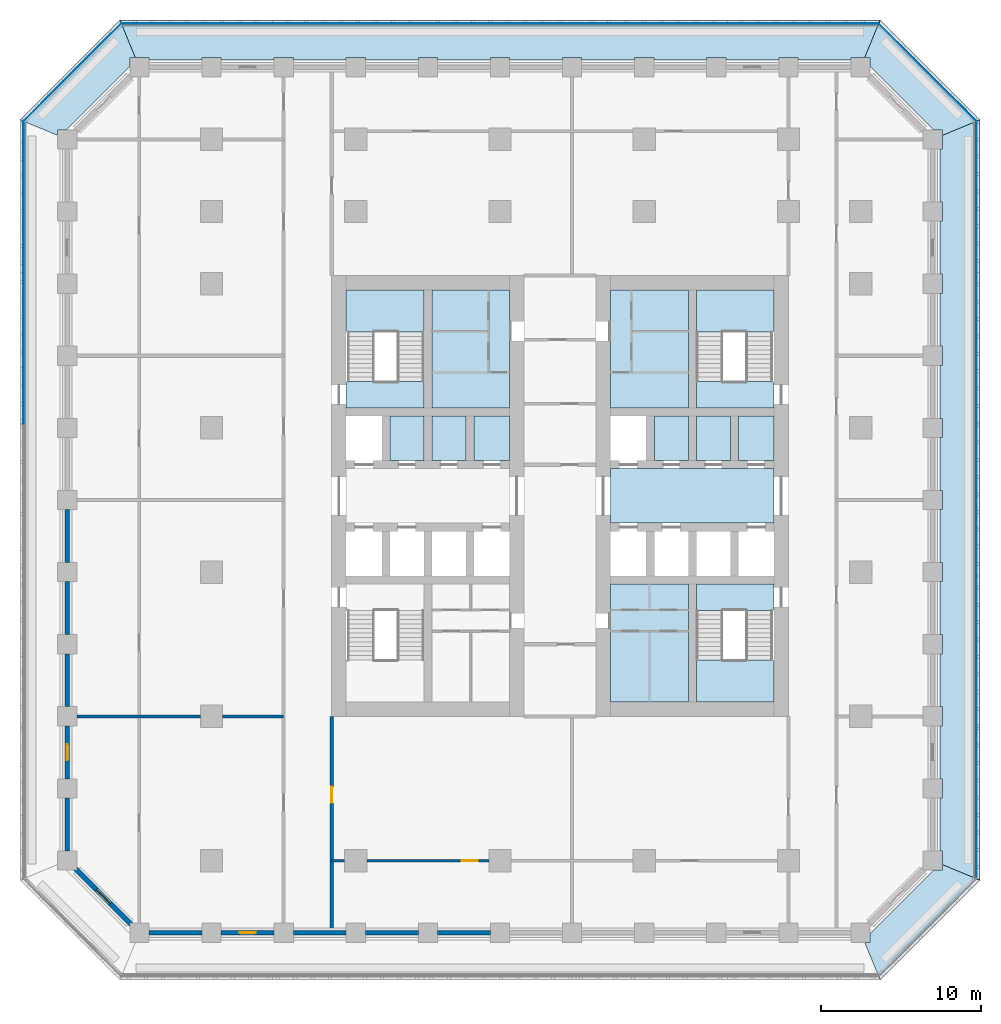
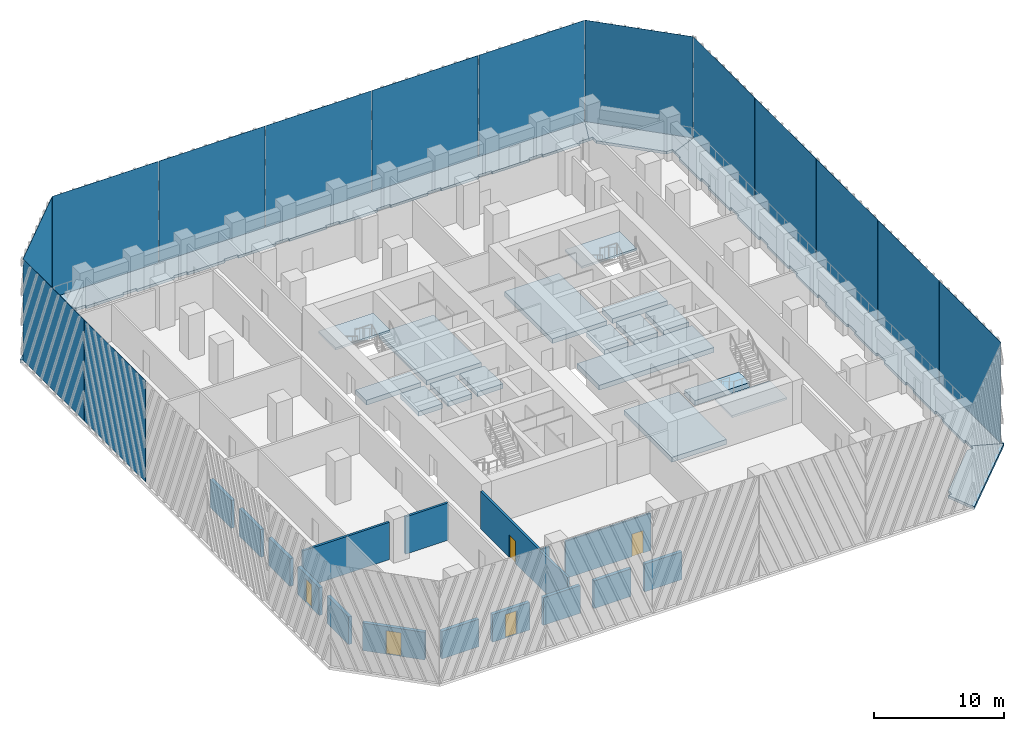
# One storey, part 2 of 17: 21 slabs, 16 walls, 14 plates, 5 doors, 5 openings, 3 elements without a shape of their own.
"""IFC4 building model written with IfcOpenShell, lengths in metres."""

from ifc_helpers import new_model, si_unit, direction, frame, frame_2d, origin, origin_2d, place, context, subcontext, project, spatial, polyline, rectangle, outline, extrude, material, layer, layer_set, type_object, element, fill, aggregate, save


model = new_model("IFC4")

# Units and contexts
model_context = context("Model", 3, precision=1e-05, world=origin(), true_north=direction((0.0, 1.0)))
body_context = subcontext(model_context, "Body", "Model", "MODEL_VIEW")
ifc_project = project(units=[si_unit("LENGTHUNIT", "METRE"), si_unit("AREAUNIT", "SQUARE_METRE"), si_unit("VOLUMEUNIT", "CUBIC_METRE"), si_unit("PLANEANGLEUNIT", "RADIAN"), si_unit("MASSUNIT", "GRAM", prefix="KILO")], contexts=[model_context])

# Site, building, storey
site_placement = place(None, origin())
site = spatial("IfcSite", under=ifc_project, at=site_placement, CompositionType="ELEMENT")
building_placement = place(site_placement, origin())
building = spatial("IfcBuilding", under=site, at=building_placement, Name="Corbel Stack Research Tower", CompositionType="ELEMENT")
storey_placement = place(building_placement, frame((0.0, 0.0, 141.300048828125)))
storey = spatial("IfcBuildingStorey", under=building, at=storey_placement, Name="L32", CompositionType="ELEMENT", Elevation=141.300048828125)

# Plates
ifc_material_1 = material(Name="Fritted glass", Category="glass")
ifc_layer_1 = layer(ifc_material_1, 0.02490234375)
ifc_layer_set_1 = layer_set([ifc_layer_1], Name="Fritted glass")
plate_type = type_object("IfcPlateType", Name="Fritted glass panel 25", PredefinedType="SHEET", material=ifc_layer_set_1)
for number, where, z_axis, x_axis, name in (
    (1, (29.737548828125, -14.411376953125, 0.0), (0.0, 0.0, 1.0), (0.0, 1.0, 0.0), "Fritted glass L32 E1"),
    (2, (29.737548828125, -4.95556640625, 0.0), (0.0, 0.0, 1.0), (0.0, 1.0, 0.0), "Fritted glass L32 E2"),
    (3, (29.737548828125, 4.5, 0.0), (0.0, 0.0, 1.0), (0.0, 1.0, 0.0), "Fritted glass L32 E3"),
    (4, (29.737548828125, 13.95556640625, 0.0), (0.0, 0.0, 1.0), (0.0, 1.0, 0.0), "Fritted glass L32 E4"),
    (5, (29.737548828125, 23.411376953125, 0.0), (0.0, 0.0, 1.0), (0.0, 1.0, 0.0), "Fritted glass L32 E5"),
):
    element("IfcPlate", number, at=place(storey_placement, frame(where, z_axis=z_axis, x_axis=x_axis)), inside=storey, type_object=plate_type, Name=name, PredefinedType="SHEET", context=body_context, shape_type="SweptSolid", body=[
        extrude(rectangle(XDim=9.3955078125, YDim=0.02490234375, at=origin_2d()), origin(), (0.0, 0.0, 1.0), 9.5),
    ])
plate_1_placement = place(storey_placement, frame((26.685791015625, 31.185791015625, 0.0), z_axis=(0.0, 0.0, 1.0), x_axis=(-0.707106781187, 0.707106781187, 0.0)))
element("IfcPlate", 6, at=plate_1_placement, inside=storey, type_object=plate_type, Name="Fritted glass L32 NE1", PredefinedType="SHEET", context=body_context, shape_type="SweptSolid", body=[
    extrude(rectangle(XDim=8.58203125, YDim=0.02490234375, at=origin_2d()), origin(), (0.0, 0.0, 1.0), 9.5),
])
for number, where, z_axis, x_axis, name in (
    (7, (18.911376953125, 34.237548828125, 0.0), (0.0, 0.0, 1.0), (-1.0, 0.0, 0.0), "Fritted glass L32 N1"),
    (8, (9.45556640625, 34.237548828125, 0.0), (0.0, 0.0, 1.0), (-1.0, 0.0, 0.0), "Fritted glass L32 N2"),
    (9, (0.0, 34.237548828125, 0.0), (0.0, 0.0, 1.0), (-1.0, 0.0, 0.0), "Fritted glass L32 N3"),
    (10, (-9.45556640625, 34.237548828125, 0.0), (0.0, 0.0, 1.0), (-1.0, 0.0, 0.0), "Fritted glass L32 N4"),
    (11, (-18.911376953125, 34.237548828125, 0.0), (0.0, 0.0, 1.0), (-1.0, 0.0, 0.0), "Fritted glass L32 N5"),
):
    element("IfcPlate", number, at=place(storey_placement, frame(where, z_axis=z_axis, x_axis=x_axis)), inside=storey, type_object=plate_type, Name=name, PredefinedType="SHEET", context=body_context, shape_type="SweptSolid", body=[
        extrude(rectangle(XDim=9.3955078125, YDim=0.02490234375, at=origin_2d()), origin(), (0.0, 0.0, 1.0), 9.5),
    ])
plate_2_placement = place(storey_placement, frame((-26.685791015625, 31.185791015625, 0.0), z_axis=(0.0, 0.0, 1.0), x_axis=(-0.707106781187, -0.707106781187, 0.0)))
element("IfcPlate", 12, at=plate_2_placement, inside=storey, type_object=plate_type, Name="Fritted glass L32 NW1", PredefinedType="SHEET", context=body_context, shape_type="SweptSolid", body=[
    extrude(rectangle(XDim=8.58203125, YDim=0.02490234375, at=origin_2d()), origin(), (0.0, 0.0, 1.0), 9.5),
])
for number, where, z_axis, x_axis, name in (
    (13, (-29.737548828125, 23.411376953125, 0.0), (0.0, 0.0, 1.0), (0.0, -1.0, 0.0), "Fritted glass L32 W1"),
    (14, (-29.737548828125, 13.95556640625, 0.0), (0.0, 0.0, 1.0), (0.0, -1.0, 0.0), "Fritted glass L32 W2"),
):
    element("IfcPlate", number, at=place(storey_placement, frame(where, z_axis=z_axis, x_axis=x_axis)), inside=storey, type_object=plate_type, Name=name, PredefinedType="SHEET", context=body_context, shape_type="SweptSolid", body=[
        extrude(rectangle(XDim=9.3955078125, YDim=0.02490234375, at=origin_2d()), origin(), (0.0, 0.0, 1.0), 9.5),
    ])

# Slabs
ifc_material_2 = material(Name="Concrete C45/55", Category="concrete")
ifc_layer_2 = layer(ifc_material_2, 0.25)
ifc_layer_set_2 = layer_set([ifc_layer_2], Name="Concrete C45/55")
slab_type_1 = type_object("IfcSlabType", Name="PT balcony slab 250 C45/55", PredefinedType="FLOOR", material=ifc_layer_set_2)
slab_1_placement = place(storey_placement, frame((0.0, 0.0, -0.25)))
element("IfcSlab", 15, at=slab_1_placement, inside=storey, type_object=slab_type_1, Name="Loggia slab L32 SE", PredefinedType="FLOOR", context=body_context, shape_type="SweptSolid", body=[
    extrude(outline(polyline([(27.60009765625, -18.24853515625), (27.60009765625, -18.60009765625), (27.036376953125, -18.60009765625), (23.10009765625, -22.536376953125), (23.10009765625, -23.10009765625), (22.74853515625, -23.10009765625), (23.721923828125, -25.449951171875), (29.949951171875, -19.221923828125), (27.60009765625, -18.24853515625)])), origin(), (0.0, 0.0, 1.0), 0.25),
])
slab_2_placement = place(storey_placement, frame((0.0, 0.0, -0.25)))
element("IfcSlab", 16, at=slab_2_placement, inside=storey, type_object=slab_type_1, Name="Loggia slab L32 E", PredefinedType="FLOOR", context=body_context, shape_type="SweptSolid", body=[
    extrude(outline(polyline([(27.60009765625, 27.24853515625), (27.60009765625, 26.39990234375), (27.449951171875, 26.39990234375), (27.449951171875, 23.10009765625), (27.60009765625, 23.10009765625), (27.60009765625, 21.89990234375), (27.449951171875, 21.89990234375), (27.449951171875, 18.60009765625), (27.60009765625, 18.60009765625), (27.60009765625, 17.39990234375), (27.449951171875, 17.39990234375), (27.449951171875, 14.10009765625), (27.60009765625, 14.10009765625), (27.60009765625, 12.89990234375), (27.449951171875, 12.89990234375), (27.449951171875, 9.60009765625), (27.60009765625, 9.60009765625), (27.60009765625, 8.39990234375), (27.449951171875, 8.39990234375), (27.449951171875, 5.10009765625), (27.60009765625, 5.10009765625), (27.60009765625, 3.89990234375), (27.449951171875, 3.89990234375), (27.449951171875, 0.60009765625), (27.60009765625, 0.60009765625), (27.60009765625, -0.60009765625), (27.449951171875, -0.60009765625), (27.449951171875, -3.89990234375), (27.60009765625, -3.89990234375), (27.60009765625, -5.10009765625), (27.449951171875, -5.10009765625), (27.449951171875, -8.39990234375), (27.60009765625, -8.39990234375), (27.60009765625, -9.60009765625), (27.449951171875, -9.60009765625), (27.449951171875, -12.89990234375), (27.60009765625, -12.89990234375), (27.60009765625, -14.10009765625), (27.449951171875, -14.10009765625), (27.449951171875, -17.39990234375), (27.60009765625, -17.39990234375), (27.60009765625, -18.24853515625), (29.949951171875, -19.221923828125), (29.949951171875, 28.221923828125), (27.60009765625, 27.24853515625)])), origin(), (0.0, 0.0, 1.0), 0.25),
])
slab_3_placement = place(storey_placement, frame((0.0, 0.0, -0.25)))
element("IfcSlab", 17, at=slab_3_placement, inside=storey, type_object=slab_type_1, Name="Loggia slab L32 NE", PredefinedType="FLOOR", context=body_context, shape_type="SweptSolid", body=[
    extrude(outline(polyline([(22.74853515625, 32.10009765625), (23.10009765625, 32.10009765625), (23.10009765625, 31.536376953125), (27.036376953125, 27.60009765625), (27.60009765625, 27.60009765625), (27.60009765625, 27.24853515625), (29.949951171875, 28.221923828125), (23.721923828125, 34.449951171875), (22.74853515625, 32.10009765625)])), origin(), (0.0, 0.0, 1.0), 0.25),
])
slab_4_placement = place(storey_placement, frame((0.0, 0.0, -0.25)))
element("IfcSlab", 18, at=slab_4_placement, inside=storey, type_object=slab_type_1, Name="Loggia slab L32 N", PredefinedType="FLOOR", context=body_context, shape_type="SweptSolid", body=[
    extrude(outline(polyline([(-22.74853515625, 32.10009765625), (-21.89990234375, 32.10009765625), (-21.89990234375, 31.949951171875), (-18.60009765625, 31.949951171875), (-18.60009765625, 32.10009765625), (-17.39990234375, 32.10009765625), (-17.39990234375, 31.949951171875), (-14.10009765625, 31.949951171875), (-14.10009765625, 32.10009765625), (-12.89990234375, 32.10009765625), (-12.89990234375, 31.949951171875), (-9.60009765625, 31.949951171875), (-9.60009765625, 32.10009765625), (-8.39990234375, 32.10009765625), (-8.39990234375, 31.949951171875), (-5.10009765625, 31.949951171875), (-5.10009765625, 32.10009765625), (-3.89990234375, 32.10009765625), (-3.89990234375, 31.949951171875), (-0.60009765625, 31.949951171875), (-0.60009765625, 32.10009765625), (0.60009765625, 32.10009765625), (0.60009765625, 31.949951171875), (3.89990234375, 31.949951171875), (3.89990234375, 32.10009765625), (5.10009765625, 32.10009765625), (5.10009765625, 31.949951171875), (8.39990234375, 31.949951171875), (8.39990234375, 32.10009765625), (9.60009765625, 32.10009765625), (9.60009765625, 31.949951171875), (12.89990234375, 31.949951171875), (12.89990234375, 32.10009765625), (14.10009765625, 32.10009765625), (14.10009765625, 31.949951171875), (17.39990234375, 31.949951171875), (17.39990234375, 32.10009765625), (18.60009765625, 32.10009765625), (18.60009765625, 31.949951171875), (21.89990234375, 31.949951171875), (21.89990234375, 32.10009765625), (22.74853515625, 32.10009765625), (23.721923828125, 34.449951171875), (-23.721923828125, 34.449951171875), (-22.74853515625, 32.10009765625)])), origin(), (0.0, 0.0, 1.0), 0.25),
])
slab_5_placement = place(storey_placement, frame((0.0, 0.0, -0.25)))
element("IfcSlab", 19, at=slab_5_placement, inside=storey, type_object=slab_type_1, Name="Loggia slab L32 NW", PredefinedType="FLOOR", context=body_context, shape_type="SweptSolid", body=[
    extrude(outline(polyline([(-27.60009765625, 27.24853515625), (-27.60009765625, 27.60009765625), (-27.036376953125, 27.60009765625), (-23.10009765625, 31.536376953125), (-23.10009765625, 32.10009765625), (-22.74853515625, 32.10009765625), (-23.721923828125, 34.449951171875), (-29.949951171875, 28.221923828125), (-27.60009765625, 27.24853515625)])), origin(), (0.0, 0.0, 1.0), 0.25),
])
ifc_material_3 = material(Name="Concrete C45/55", Category="concrete")
ifc_layer_3 = layer(ifc_material_3, 0.449951171875)
ifc_layer_set_3 = layer_set([ifc_layer_3], Name="Concrete C45/55")
slab_type_2 = type_object("IfcSlabType", Name="PT-450", PredefinedType="FLOOR", material=ifc_layer_set_3)
slab_6_placement = place(storey_placement, frame((0.0, 0.0, -0.449951171875)))
element("IfcSlab", 20, at=slab_6_placement, inside=storey, type_object=slab_type_2, Name="West core floor L32", PredefinedType="FLOOR", context=body_context, shape_type="SweptSolid", body=[
    extrude(outline(polyline([(-6.875, 6.949951171875), (-4.75, 6.949951171875), (-4.75, 9.75), (-6.875, 9.75), (-6.875, 6.949951171875)])), origin(), (0.0, 0.0, 1.0), 0.449951171875),
])
slab_7_placement = place(storey_placement, frame((0.0, 0.0, -0.449951171875)))
element("IfcSlab", 21, at=slab_7_placement, inside=storey, type_object=slab_type_2, Name="West core floor L32", PredefinedType="FLOOR", context=body_context, shape_type="SweptSolid", body=[
    extrude(outline(polyline([(-2.125, 6.949951171875), (-2.125, 9.75), (-4.25, 9.75), (-4.25, 6.949951171875), (-2.125, 6.949951171875)])), origin(), (0.0, 0.0, 1.0), 0.449951171875),
])
slab_8_placement = place(storey_placement, frame((0.0, 0.0, -0.449951171875)))
element("IfcSlab", 22, at=slab_8_placement, inside=storey, type_object=slab_type_2, Name="West core floor L32", PredefinedType="FLOOR", context=body_context, shape_type="SweptSolid", body=[
    extrude(outline(polyline([(0.60009765625, 17.60009765625), (-4.25, 17.60009765625), (-4.25, 10.25), (0.60009765625, 10.25), (0.60009765625, 17.60009765625)])), origin(), (0.0, 0.0, 1.0), 0.449951171875),
])
slab_9_placement = place(storey_placement, frame((0.0, 0.0, -0.449951171875)))
element("IfcSlab", 23, at=slab_9_placement, inside=storey, type_object=slab_type_2, Name="West core floor L32", PredefinedType="FLOOR", context=body_context, shape_type="SweptSolid", body=[
    extrude(outline(polyline([(0.60009765625, 9.75), (-1.625, 9.75), (-1.625, 6.949951171875), (0.60009765625, 6.949951171875), (0.60009765625, 9.75)])), origin(), (0.0, 0.0, 1.0), 0.449951171875),
])
slab_10_placement = place(storey_placement, frame((0.0, 0.0, -0.449951171875)))
element("IfcSlab", 24, at=slab_10_placement, inside=storey, type_object=slab_type_2, Name="East core floor L32", PredefinedType="FLOOR", context=body_context, shape_type="SweptSolid", body=[
    extrude(outline(polyline([(11.75, -0.75), (6.89990234375, -0.75), (6.89990234375, -8.10009765625), (11.75, -8.10009765625), (11.75, -0.75)])), origin(), (0.0, 0.0, 1.0), 0.449951171875),
])
slab_11_placement = place(storey_placement, frame((0.0, 0.0, -0.449951171875)))
element("IfcSlab", 25, at=slab_11_placement, inside=storey, type_object=slab_type_2, Name="East core floor L32", PredefinedType="FLOOR", context=body_context, shape_type="SweptSolid", body=[
    extrude(outline(polyline([(6.89990234375, 6.449951171875), (6.89990234375, 3.050048828125), (17.10009765625, 3.050048828125), (17.10009765625, 6.449951171875), (6.89990234375, 6.449951171875)])), origin(), (0.0, 0.0, 1.0), 0.449951171875),
])
slab_12_placement = place(storey_placement, frame((0.0, 0.0, -0.449951171875)))
element("IfcSlab", 26, at=slab_12_placement, inside=storey, type_object=slab_type_2, Name="East core floor L32", PredefinedType="FLOOR", context=body_context, shape_type="SweptSolid", body=[
    extrude(outline(polyline([(6.89990234375, 17.60009765625), (6.89990234375, 10.25), (11.75, 10.25), (11.75, 17.60009765625), (6.89990234375, 17.60009765625)])), origin(), (0.0, 0.0, 1.0), 0.449951171875),
])
slab_13_placement = place(storey_placement, frame((0.0, 0.0, -0.449951171875)))
element("IfcSlab", 27, at=slab_13_placement, inside=storey, type_object=slab_type_2, Name="East core floor L32", PredefinedType="FLOOR", context=body_context, shape_type="SweptSolid", body=[
    extrude(outline(polyline([(9.625, 6.949951171875), (11.75, 6.949951171875), (11.75, 9.75), (9.625, 9.75), (9.625, 6.949951171875)])), origin(), (0.0, 0.0, 1.0), 0.449951171875),
])
slab_14_placement = place(storey_placement, frame((0.0, 0.0, -0.449951171875)))
element("IfcSlab", 28, at=slab_14_placement, inside=storey, type_object=slab_type_2, Name="East core floor L32", PredefinedType="FLOOR", context=body_context, shape_type="SweptSolid", body=[
    extrude(outline(polyline([(14.375, 6.949951171875), (14.375, 9.75), (12.25, 9.75), (12.25, 6.949951171875), (14.375, 6.949951171875)])), origin(), (0.0, 0.0, 1.0), 0.449951171875),
])
slab_15_placement = place(storey_placement, frame((0.0, 0.0, -0.449951171875)))
element("IfcSlab", 29, at=slab_15_placement, inside=storey, type_object=slab_type_2, Name="East core floor L32", PredefinedType="FLOOR", context=body_context, shape_type="SweptSolid", body=[
    extrude(outline(polyline([(17.10009765625, 6.949951171875), (17.10009765625, 9.75), (14.875, 9.75), (14.875, 6.949951171875), (17.10009765625, 6.949951171875)])), origin(), (0.0, 0.0, 1.0), 0.449951171875),
])
slab_16_placement = place(storey_placement, frame((0.0, 0.0, -0.449951171875)))
element("IfcSlab", 30, at=slab_16_placement, inside=storey, type_object=slab_type_2, Name="Stair floor landing ST-W2", PredefinedType="FLOOR", context=body_context, shape_type="SweptSolid", body=[
    extrude(outline(polyline([(-9.60009765625, 10.25), (-4.75, 10.25), (-4.75, 11.89990234375), (-9.60009765625, 11.89990234375), (-9.60009765625, 10.25)])), origin(), (0.0, 0.0, 1.0), 0.449951171875),
])
slab_17_placement = place(storey_placement, frame((0.0, 0.0, -0.449951171875)))
element("IfcSlab", 31, at=slab_17_placement, inside=storey, type_object=slab_type_2, Name="Stair floor landing ST-E1", PredefinedType="FLOOR", context=body_context, shape_type="SweptSolid", body=[
    extrude(outline(polyline([(12.25, -2.39990234375), (17.10009765625, -2.39990234375), (17.10009765625, -0.75), (12.25, -0.75), (12.25, -2.39990234375)])), origin(), (0.0, 0.0, 1.0), 0.449951171875),
])
slab_18_placement = place(storey_placement, frame((0.0, 0.0, -0.449951171875)))
element("IfcSlab", 32, at=slab_18_placement, inside=storey, type_object=slab_type_2, Name="Stair floor landing ST-E2", PredefinedType="FLOOR", context=body_context, shape_type="SweptSolid", body=[
    extrude(outline(polyline([(12.25, 10.25), (17.10009765625, 10.25), (17.10009765625, 11.89990234375), (12.25, 11.89990234375), (12.25, 10.25)])), origin(), (0.0, 0.0, 1.0), 0.449951171875),
])

# Stair, slab
ifc_material_4 = material(Name="Concrete C40/50", Category="concrete")
stair_type = type_object("IfcStairType", Name="Exit stair 24 risers", PredefinedType="HALF_TURN_STAIR", material=ifc_material_4)
stair_1_placement = place(storey_placement, origin())
stair_1 = element("IfcStair", 33, at=stair_1_placement, inside=storey, type_object=stair_type, Name="L32 Exit stair ST-W2", PredefinedType="HALF_TURN_STAIR")
ifc_material_5 = material(Name="Concrete C40/50", Category="concrete")
ifc_layer_4 = layer(ifc_material_5, 0.199951171875)
ifc_layer_set_4 = layer_set([ifc_layer_4], Name="Concrete C40/50")
slab_type_3 = type_object("IfcSlabType", Name="Stair landing 200 C40/50", PredefinedType="LANDING", material=ifc_layer_set_4)
slab_19_placement = place(storey_placement, frame((0.0, 0.0, 1.849853515625)))
slab_19 = element("IfcSlab", 34, at=slab_19_placement, type_object=slab_type_3, Name="ST-W2 landing 1", PredefinedType="LANDING", context=body_context, shape_type="SweptSolid", body=[
    extrude(outline(polyline([(-9.60009765625, 14.97998046875), (-9.60009765625, 17.60009765625), (-4.75, 17.60009765625), (-4.75, 14.97998046875), (-9.60009765625, 14.97998046875)])), origin(), (0.0, 0.0, 1.0), 0.2001953125),
])
aggregate(stair_1, [slab_19])

stair_2_placement = place(storey_placement, origin())
stair_2 = element("IfcStair", 35, at=stair_2_placement, inside=storey, type_object=stair_type, Name="L32 Exit stair ST-E1", PredefinedType="HALF_TURN_STAIR")
slab_20_placement = place(storey_placement, frame((0.0, 0.0, 1.849853515625)))
slab_20 = element("IfcSlab", 36, at=slab_20_placement, type_object=slab_type_3, Name="ST-E1 landing 1", PredefinedType="LANDING", context=body_context, shape_type="SweptSolid", body=[
    extrude(outline(polyline([(12.25, -8.10009765625), (12.25, -5.47998046875), (17.10009765625, -5.47998046875), (17.10009765625, -8.10009765625), (12.25, -8.10009765625)])), origin(), (0.0, 0.0, 1.0), 0.2001953125),
])
aggregate(stair_2, [slab_20])

stair_3_placement = place(storey_placement, origin())
stair_3 = element("IfcStair", 37, at=stair_3_placement, inside=storey, type_object=stair_type, Name="L32 Exit stair ST-E2", PredefinedType="HALF_TURN_STAIR")
slab_21_placement = place(storey_placement, frame((0.0, 0.0, 1.849853515625)))
slab_21 = element("IfcSlab", 38, at=slab_21_placement, type_object=slab_type_3, Name="ST-E2 landing 1", PredefinedType="LANDING", context=body_context, shape_type="SweptSolid", body=[
    extrude(outline(polyline([(12.25, 14.97998046875), (12.25, 17.60009765625), (17.10009765625, 17.60009765625), (17.10009765625, 14.97998046875), (12.25, 14.97998046875)])), origin(), (0.0, 0.0, 1.0), 0.2001953125),
])
aggregate(stair_3, [slab_21])

# Wall, opening, door
ifc_material_6 = material(Name="Fire-rated gypsum board partition on steel studs", Category="steel")
ifc_layer_5 = layer(ifc_material_6, 0.199951171875)
ifc_layer_set_5 = layer_set([ifc_layer_5], Name="Fire-rated gypsum board partition on steel studs")
wall_type_1 = type_object("IfcWallType", Name="Fire-rated partition 200 EI 60", PredefinedType="PARTITIONING", material=ifc_layer_set_5)
wall_1_placement = place(storey_placement, frame((-10.5, -9.0, 0.0), z_axis=(0.0, 0.0, 1.0), x_axis=(0.0, -1.0, 0.0)))
wall_1 = element("IfcWall", 39, at=wall_1_placement, inside=storey, type_object=wall_type_1, Name="Partition L32-003", PredefinedType="PARTITIONING", context=body_context, shape_type="SweptSolid", body=[
    extrude(rectangle(XDim=13.35009765625, YDim=0.199951171875, at=frame_2d((6.675048828125, 0.0))), origin(), (0.0, 0.0, 1.0), 3.5),
])
opening_1_placement = place(wall_1_placement, frame((4.39990234375, 0.0, 0.0)))
opening_1 = element("IfcOpeningElement", 40, at=opening_1_placement, cuts=wall_1, Name="Opening B4V2-013", PredefinedType="OPENING", context=body_context, shape_type="SweptSolid", body=[
    extrude(rectangle(XDim=1.0, YDim=2.10009765625, at=frame_2d((0.5, 1.050048828125))), frame((0.0, 0.10986328125, 0.0), z_axis=(0.0, -1.0, 0.0), x_axis=(1.0, 0.0, 0.0)), (0.0, 0.0, 1.0), 0.219970703125),
])
ifc_material_7 = material(Name="Painted steel fire door", Category="steel")
door_type_1 = type_object("IfcDoorType", Name="Fire door FD30S 1000 x 2100", OperationType="NOTDEFINED", PredefinedType="DOOR", material=ifc_material_7)
door_1_placement = place(opening_1_placement, origin())
door_1 = element("IfcDoor", 41, at=door_1_placement, inside=storey, type_object=door_type_1, Name="Door B4V2-013", OperationType="SINGLE_SWING_LEFT", OverallHeight=2.10009765625, OverallWidth=1.0, PredefinedType="DOOR", context=body_context, shape_type="SweptSolid", body=[
    extrude(rectangle(XDim=1.0, YDim=2.10009765625, at=frame_2d((0.5, 1.050048828125))), frame((0.0, 0.02490234375, 0.0), z_axis=(0.0, -1.0, 0.0), x_axis=(1.0, 0.0, 0.0)), (0.0, 0.0, 1.0), 0.050048828125),
])
fill(opening_1, door_1)

# Walls
wall_2_placement = place(storey_placement, frame((-26.39990234375, -9.0, 0.0), z_axis=(0.0, 0.0, 1.0), x_axis=(1.0, 0.0, 0.0)))
element("IfcWall", 42, at=wall_2_placement, inside=storey, type_object=wall_type_1, Name="Partition L32-017", PredefinedType="PARTITIONING", context=body_context, shape_type="SweptSolid", body=[
    extrude(rectangle(XDim=7.699951171875, YDim=0.199951171875, at=frame_2d((3.85009765625, 0.0))), origin(), (0.0, 0.0, 1.0), 3.5),
])
wall_3_placement = place(storey_placement, frame((-17.300048828125, -9.0, 0.0), z_axis=(0.0, 0.0, 1.0), x_axis=(1.0, 0.0, 0.0)))
element("IfcWall", 43, at=wall_3_placement, inside=storey, type_object=wall_type_1, Name="Partition L32-018", PredefinedType="PARTITIONING", context=body_context, shape_type="SweptSolid", body=[
    extrude(rectangle(XDim=3.800048828125, YDim=0.199951171875, at=frame_2d((1.89990234375, 0.0))), origin(), (0.0, 0.0, 1.0), 3.5),
])
ifc_material_8 = material(Name="Gypsum board partition on steel studs", Category="steel")
ifc_layer_6 = layer(ifc_material_8, 0.14990234375)
ifc_layer_set_6 = layer_set([ifc_layer_6], Name="Gypsum board partition on steel studs")
wall_type_2 = type_object("IfcWallType", Name="Partition 150", PredefinedType="PARTITIONING", material=ifc_layer_set_6)
wall_4_placement = place(storey_placement, frame((-10.5, -18.0, 0.0), z_axis=(0.0, 0.0, 1.0), x_axis=(1.0, 0.0, 0.0)))
element("IfcWall", 44, at=wall_4_placement, inside=storey, type_object=wall_type_2, Name="Partition L32-013", PredefinedType="PARTITIONING", context=body_context, shape_type="SweptSolid", body=[
    extrude(rectangle(XDim=0.800048828125, YDim=0.14990234375, at=frame_2d((0.39990234375, 0.0))), origin(), (0.0, 0.0, 1.0), 3.5),
])

# Wall, opening, door
wall_5_placement = place(storey_placement, frame((-0.699951171875, -18.0, 0.0), z_axis=(0.0, 0.0, 1.0), x_axis=(-1.0, 0.0, 0.0)))
wall_5 = element("IfcWall", 45, at=wall_5_placement, inside=storey, type_object=wall_type_2, Name="Partition L32-014", PredefinedType="PARTITIONING", context=body_context, shape_type="SweptSolid", body=[
    extrude(rectangle(XDim=7.60009765625, YDim=0.14990234375, at=frame_2d((3.800048828125, 0.0))), origin(), (0.0, 0.0, 1.0), 3.5),
])
opening_2_placement = place(wall_5_placement, frame((0.699951171875, 0.0, 0.0)))
opening_2 = element("IfcOpeningElement", 46, at=opening_2_placement, cuts=wall_5, Name="Opening B4V2-006", PredefinedType="OPENING", context=body_context, shape_type="SweptSolid", body=[
    extrude(rectangle(XDim=1.0, YDim=2.10009765625, at=frame_2d((0.5, 1.050048828125))), frame((0.0, 0.0849609375, 0.0), z_axis=(0.0, -1.0, 0.0), x_axis=(1.0, 0.0, 0.0)), (0.0, 0.0, 1.0), 0.169921875),
])
ifc_material_9 = material(Name="Painted timber door", Category="wood")
door_type_2 = type_object("IfcDoorType", Name="Single door 1000 x 2100", OperationType="NOTDEFINED", PredefinedType="DOOR", material=ifc_material_9)
door_2_placement = place(opening_2_placement, origin())
door_2 = element("IfcDoor", 47, at=door_2_placement, inside=storey, type_object=door_type_2, Name="Door B4V2-006", OperationType="SINGLE_SWING_LEFT", OverallHeight=2.10009765625, OverallWidth=1.0, PredefinedType="DOOR", context=body_context, shape_type="SweptSolid", body=[
    extrude(rectangle(XDim=1.0, YDim=2.10009765625, at=frame_2d((0.5, 1.050048828125))), frame((0.0, 0.02490234375, 0.0), z_axis=(0.0, -1.0, 0.0), x_axis=(1.0, 0.0, 0.0)), (0.0, 0.0, 1.0), 0.050048828125),
])
fill(opening_2, door_2)

# Wall
ifc_material_10 = material(Name="Concrete C45/55", Category="concrete")
ifc_layer_7 = layer(ifc_material_10, 0.300048828125)
ifc_layer_set_7 = layer_set([ifc_layer_7], Name="Concrete C45/55")
wall_type_3 = type_object("IfcWallType", Name="Terracotta-faced concrete wall 300", PredefinedType="SOLIDWALL", material=ifc_layer_set_7)
wall_6_placement = place(storey_placement, frame((-18.60009765625, -22.5, 0.0), z_axis=(0.0, 0.0, 1.0), x_axis=(-1.0, 0.0, 0.0)))
element("IfcWall", 48, at=wall_6_placement, inside=storey, type_object=wall_type_3, Name="Facade wall L32 S01", PredefinedType="SOLIDWALL", context=body_context, shape_type="SweptSolid", body=[
    extrude(rectangle(XDim=3.2998046875, YDim=0.300048828125, at=frame_2d((1.64990234375, 0.0))), origin(), (0.0, 0.0, 1.0), 2.599853515625),
])

# Wall, opening, door
wall_7_placement = place(storey_placement, frame((-14.10009765625, -22.5, 0.0), z_axis=(0.0, 0.0, 1.0), x_axis=(-1.0, 0.0, 0.0)))
wall_7 = element("IfcWall", 49, at=wall_7_placement, inside=storey, type_object=wall_type_3, Name="Facade wall L32 S02", PredefinedType="SOLIDWALL", context=body_context, shape_type="SweptSolid", body=[
    extrude(rectangle(XDim=3.2998046875, YDim=0.300048828125, at=frame_2d((1.64990234375, 0.0))), origin(), (0.0, 0.0, 1.0), 2.599853515625),
])
opening_3_placement = place(wall_7_placement, frame((1.14990234375, 0.0, 0.0)))
opening_3 = element("IfcOpeningElement", 50, at=opening_3_placement, cuts=wall_7, Name="Opening L32-B01", PredefinedType="OPENING", context=body_context, shape_type="SweptSolid", body=[
    extrude(rectangle(XDim=1.0, YDim=2.199951171875, at=frame_2d((0.5, 1.10009765625))), frame((0.0, 0.159912109375, 0.0), z_axis=(0.0, -1.0, 0.0), x_axis=(1.0, 0.0, 0.0)), (0.0, 0.0, 1.0), 0.320068359375),
])
ifc_material_11 = material(Name="Aluminium frame, clear double glazing", Category="aluminium")
door_type_3 = type_object("IfcDoorType", Name="Balcony door BD1 1000 x 2200", OperationType="NOTDEFINED", PredefinedType="DOOR", material=ifc_material_11)
door_3_placement = place(opening_3_placement, origin())
door_3 = element("IfcDoor", 51, at=door_3_placement, inside=storey, type_object=door_type_3, Name="Balcony door L32-B01", OperationType="SINGLE_SWING_RIGHT", OverallHeight=2.199951171875, OverallWidth=1.0, PredefinedType="DOOR", context=body_context, shape_type="SweptSolid", body=[
    extrude(rectangle(XDim=1.0, YDim=2.199951171875, at=frame_2d((0.5, 1.10009765625))), frame((0.0, 0.02490234375, 0.0), z_axis=(0.0, -1.0, 0.0), x_axis=(1.0, 0.0, 0.0)), (0.0, 0.0, 1.0), 0.050048828125),
])
fill(opening_3, door_3)

# Walls
for number, where, z_axis, x_axis, name in (
    (52, (-9.60009765625, -22.5, 0.0), (0.0, 0.0, 1.0), (-1.0, 0.0, 0.0), "Facade wall L32 S03"),
    (53, (-5.10009765625, -22.5, 0.0), (0.0, 0.0, 1.0), (-1.0, 0.0, 0.0), "Facade wall L32 S04"),
    (54, (-0.60009765625, -22.5, 0.0), (0.0, 0.0, 1.0), (-1.0, 0.0, 0.0), "Facade wall L32 S05"),
    (55, (-27.0, 0.60009765625, 0.0), (0.0, 0.0, 1.0), (0.0, 1.0, 0.0), "Facade wall L32 W06"),
    (56, (-27.0, -3.89990234375, 0.0), (0.0, 0.0, 1.0), (0.0, 1.0, 0.0), "Facade wall L32 W07"),
    (57, (-27.0, -8.39990234375, 0.0), (0.0, 0.0, 1.0), (0.0, 1.0, 0.0), "Facade wall L32 W08"),
):
    element("IfcWall", number, at=place(storey_placement, frame(where, z_axis=z_axis, x_axis=x_axis)), inside=storey, type_object=wall_type_3, Name=name, PredefinedType="SOLIDWALL", context=body_context, shape_type="SweptSolid", body=[
        extrude(rectangle(XDim=3.2998046875, YDim=0.300048828125, at=frame_2d((1.64990234375, 0.0))), origin(), (0.0, 0.0, 1.0), 2.599853515625),
    ])

# Wall, opening, door
wall_8_placement = place(storey_placement, frame((-27.0, -12.89990234375, 0.0), z_axis=(0.0, 0.0, 1.0), x_axis=(0.0, 1.0, 0.0)))
wall_8 = element("IfcWall", 58, at=wall_8_placement, inside=storey, type_object=wall_type_3, Name="Facade wall L32 W09", PredefinedType="SOLIDWALL", context=body_context, shape_type="SweptSolid", body=[
    extrude(rectangle(XDim=3.2998046875, YDim=0.300048828125, at=frame_2d((1.64990234375, 0.0))), origin(), (0.0, 0.0, 1.0), 2.599853515625),
])
opening_4_placement = place(wall_8_placement, frame((1.14990234375, 0.0, 0.0)))
opening_4 = element("IfcOpeningElement", 59, at=opening_4_placement, cuts=wall_8, Name="Opening L32-B11", PredefinedType="OPENING", context=body_context, shape_type="SweptSolid", body=[
    extrude(rectangle(XDim=1.0, YDim=2.199951171875, at=frame_2d((0.5, 1.10009765625))), frame((0.0, 0.159912109375, 0.0), z_axis=(0.0, -1.0, 0.0), x_axis=(1.0, 0.0, 0.0)), (0.0, 0.0, 1.0), 0.320068359375),
])
door_4_placement = place(opening_4_placement, origin())
door_4 = element("IfcDoor", 60, at=door_4_placement, inside=storey, type_object=door_type_3, Name="Balcony door L32-B11", OperationType="SINGLE_SWING_LEFT", OverallHeight=2.199951171875, OverallWidth=1.0, PredefinedType="DOOR", context=body_context, shape_type="SweptSolid", body=[
    extrude(rectangle(XDim=1.0, YDim=2.199951171875, at=frame_2d((0.5, 1.10009765625))), frame((0.0, 0.02490234375, 0.0), z_axis=(0.0, -1.0, 0.0), x_axis=(1.0, 0.0, 0.0)), (0.0, 0.0, 1.0), 0.050048828125),
])
fill(opening_4, door_4)

# Wall
wall_9_placement = place(storey_placement, frame((-27.0, -17.39990234375, 0.0), z_axis=(0.0, 0.0, 1.0), x_axis=(0.0, 1.0, 0.0)))
element("IfcWall", 61, at=wall_9_placement, inside=storey, type_object=wall_type_3, Name="Facade wall L32 W10", PredefinedType="SOLIDWALL", context=body_context, shape_type="SweptSolid", body=[
    extrude(rectangle(XDim=3.2998046875, YDim=0.300048828125, at=frame_2d((1.64990234375, 0.0))), origin(), (0.0, 0.0, 1.0), 2.599853515625),
])

# Wall, opening, door
wall_10_placement = place(storey_placement, frame((-22.993896484375, -22.006103515625, 0.0), z_axis=(0.0, 0.0, 1.0), x_axis=(-0.707106781187, 0.707106781187, 0.0)))
wall_10 = element("IfcWall", 62, at=wall_10_placement, inside=storey, type_object=wall_type_3, Name="Facade wall L32 SW01", PredefinedType="SOLIDWALL", context=body_context, shape_type="SweptSolid", body=[
    extrude(rectangle(XDim=4.967041015625, YDim=0.300048828125, at=frame_2d((2.4833984375, 0.0))), origin(), (0.0, 0.0, 1.0), 2.599853515625),
])
opening_5_placement = place(wall_10_placement, frame((1.883544921875, 0.0, 0.0)))
opening_5 = element("IfcOpeningElement", 63, at=opening_5_placement, cuts=wall_10, Name="Opening L32-B12", PredefinedType="OPENING", context=body_context, shape_type="SweptSolid", body=[
    extrude(rectangle(XDim=1.199951171875, YDim=2.199951171875, at=frame_2d((0.60009765625, 1.10009765625))), frame((0.0, 0.159912109375, 0.0), z_axis=(0.0, -1.0, 0.0), x_axis=(1.0, 0.0, 0.0)), (0.0, 0.0, 1.0), 0.320068359375),
])
ifc_material_12 = material(Name="Aluminium frame, clear double glazing", Category="aluminium")
door_type_4 = type_object("IfcDoorType", Name="Balcony door BD2 1200 x 2200", OperationType="NOTDEFINED", PredefinedType="DOOR", material=ifc_material_12)
door_5_placement = place(opening_5_placement, origin())
door_5 = element("IfcDoor", 64, at=door_5_placement, inside=storey, type_object=door_type_4, Name="Balcony door L32-B12", OperationType="SINGLE_SWING_LEFT", OverallHeight=2.199951171875, OverallWidth=1.199951171875, PredefinedType="DOOR", context=body_context, shape_type="SweptSolid", body=[
    extrude(rectangle(XDim=1.199951171875, YDim=2.199951171875, at=frame_2d((0.60009765625, 1.10009765625))), frame((0.0, 0.02490234375, 0.0), z_axis=(0.0, -1.0, 0.0), x_axis=(1.0, 0.0, 0.0)), (0.0, 0.0, 1.0), 0.050048828125),
])
fill(opening_5, door_5)

save(model, "model.ifc")
